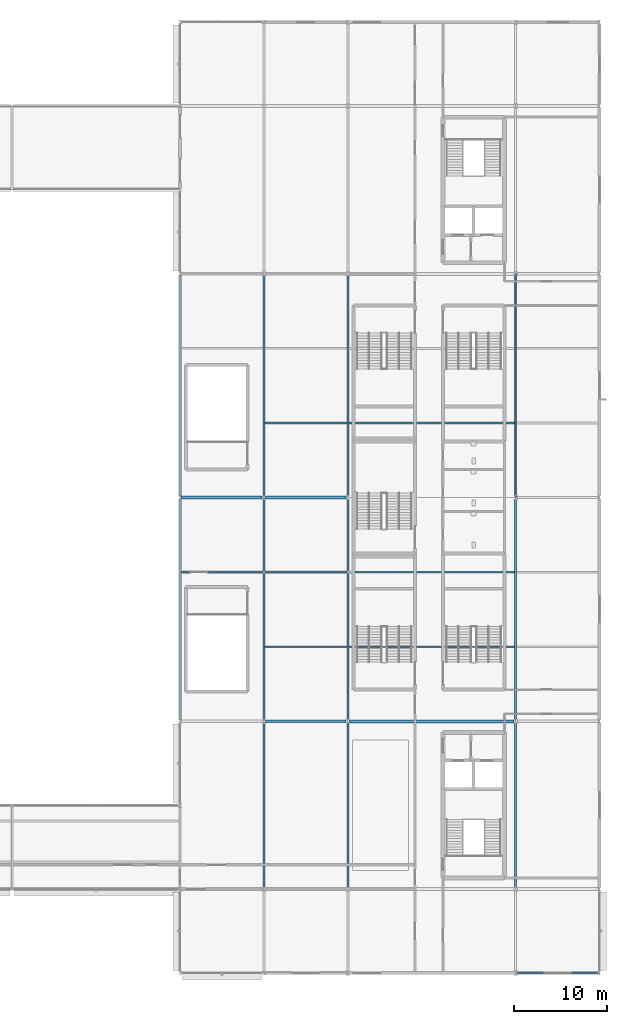
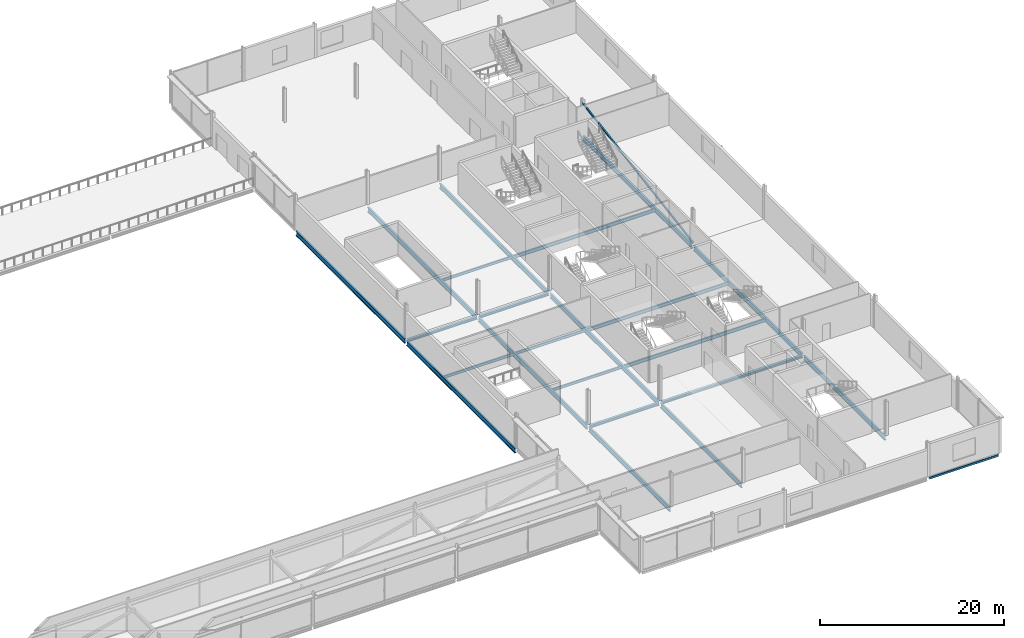
# One storey, part 28 of 73: 23 beams, 1 member.
"""IFC4 building model written with IfcOpenShell, lengths in metres."""

import ifcopenshell
import ifcopenshell.guid

model = None  # the IFC model being written
_history = None  # IfcOwnerHistory: only IFC2X3 demands one
_inside = {}  # id of a spatial element -> (the spatial element, [elements in it])
_under = {}  # id of a project, library or spatial element -> (it, [spatial elements below it])
_declared = {}  # id of a project -> (the project, [libraries it declares])
_typed = {}  # id of a type object -> (the type object, [elements of that type])
_made_of = {}  # id of a material, layer set ... -> (it, [elements and type objects made of it])


def new_model(schema):
    """Start an empty IFC model of exactly this schema.

    Asked for "IFC4X3", IfcOpenShell would pick the latest addendum, in which some entities
    have other attributes; the version numbers below select the first issue.
    IFC2X3 requires an IfcOwnerHistory on every rooted entity: one is made here for all.
    """
    global model, _history
    if schema == "IFC4X3":
        model = ifcopenshell.file(schema_version=(4, 3, 0, 0))
    else:
        model = ifcopenshell.file(schema=schema)
    _inside.clear()
    _under.clear()
    _declared.clear()
    _typed.clear()
    _made_of.clear()
    _history = None
    if model.schema == "IFC2X3":
        org = make("IfcOrganization", Name="unknown")
        user = make(
            "IfcPersonAndOrganization",
            ThePerson=make("IfcPerson", FamilyName="unknown"),
            TheOrganization=org,
        )
        app = make(
            "IfcApplication",
            ApplicationDeveloper=org,
            Version="unknown",
            ApplicationFullName="unknown",
            ApplicationIdentifier="unknown",
        )
        _history = make(
            "IfcOwnerHistory",
            OwningUser=user,
            OwningApplication=app,
            ChangeAction="ADDED",
            CreationDate=0,
        )
    return model


def make(cls, **values):
    """One entity of the class cls with the attributes given. An attribute that is None is left unset."""
    return model.create_entity(
        cls, **{name: value for name, value in values.items() if value is not None}
    )


def rooted(cls, **values):
    """An entity with a GlobalId (a new one), such as an element, a storey or a relation."""
    return make(cls, GlobalId=ifcopenshell.guid.new(), OwnerHistory=_history, **values)


def si_unit(unit_type, name, prefix=None):
    """IfcSIUnit, for example si_unit("LENGTHUNIT", "METRE", prefix="MILLI")."""
    return make("IfcSIUnit", UnitType=unit_type, Prefix=prefix, Name=name)


def assignment(units):
    """IfcUnitAssignment: the units of a project."""
    return None if units is None else make("IfcUnitAssignment", Units=units)


def point(xyz):
    """IfcCartesianPoint."""
    return None if xyz is None else make("IfcCartesianPoint", Coordinates=xyz)


def direction(xyz):
    """IfcDirection."""
    return None if xyz is None else make("IfcDirection", DirectionRatios=xyz)


def frame(location, z_axis=None, x_axis=None):
    """IfcAxis2Placement3D, a coordinate frame: its origin and axes. An axis left out is left unset."""
    return make(
        "IfcAxis2Placement3D",
        Location=point(location),
        Axis=direction(z_axis),
        RefDirection=direction(x_axis),
    )


def frame_2d(location, x_axis=None):
    """IfcAxis2Placement2D, a coordinate frame in the plane: its origin and x axis."""
    return make(
        "IfcAxis2Placement2D", Location=point(location), RefDirection=direction(x_axis)
    )


def origin():
    """The frame at (0, 0, 0) with its axes left unset."""
    return frame((0.0, 0.0, 0.0))


def origin_2d():
    """The frame at (0, 0) in the plane with its x axis left unset."""
    return frame_2d((0.0, 0.0))


def place(relative_to, where):
    """IfcLocalPlacement: puts the frame where relative to a parent placement (None: the world)."""
    return make(
        "IfcLocalPlacement", PlacementRelTo=relative_to, RelativePlacement=where
    )


def context(
    kind, dimensions, precision=None, world=None, true_north=None, identifier=None
):
    """IfcGeometricRepresentationContext, for example the 3D "Model" context."""
    return make(
        "IfcGeometricRepresentationContext",
        ContextIdentifier=identifier,
        ContextType=kind,
        CoordinateSpaceDimension=dimensions,
        Precision=precision,
        WorldCoordinateSystem=world,
        TrueNorth=true_north,
    )


def subcontext(parent, identifier, kind, view, scale=None):
    """IfcGeometricRepresentationSubContext, for example "Body" below "Model"."""
    return make(
        "IfcGeometricRepresentationSubContext",
        ContextIdentifier=identifier,
        ContextType=kind,
        ParentContext=parent,
        TargetScale=scale,
        TargetView=view,
    )


def project(units=None, contexts=None):
    """IfcProject with its units and contexts."""
    return rooted(
        "IfcProject",
        Name="project",
        RepresentationContexts=contexts,
        UnitsInContext=assignment(units),
    )


def spatial(cls, under=None, at=None, **own):
    """A site, building, storey or space (cls), placed at a placement, below another one or the project."""
    s = rooted(cls, ObjectPlacement=at, **own)
    if under is not None:
        _under.setdefault(under.id(), (under, []))[1].append(s)
    return s


def profile(cls, at=None, kind="AREA", **sizes):
    """A parametric profile (cls). Its sizes go by their IFC names, for example OverallWidth=200.0."""
    return make(cls, ProfileType=kind, Position=at, **sizes)


def hollow_rectangle(**sizes):
    """IfcRectangleHollowProfileDef."""
    return profile("IfcRectangleHollowProfileDef", **sizes)


def i_section(**sizes):
    """IfcIShapeProfileDef."""
    return profile("IfcIShapeProfileDef", **sizes)


def extrude(swept, where, along, depth):
    """IfcExtrudedAreaSolid: the profile swept, set in the frame where, extruded along a direction by depth."""
    return make(
        "IfcExtrudedAreaSolid",
        SweptArea=swept,
        Position=where,
        ExtrudedDirection=direction(along),
        Depth=depth,
    )


def shape(context_of_items, identifier, shape_type, items):
    """IfcShapeRepresentation: the items that make up one representation, for example the "Body"."""
    return make(
        "IfcShapeRepresentation",
        ContextOfItems=context_of_items,
        RepresentationIdentifier=identifier,
        RepresentationType=shape_type,
        Items=items,
    )


def material(Name=None, Category=None):
    """IfcMaterial."""
    return make("IfcMaterial", Name=Name, Category=Category)


def material_profile(
    of_material, cross_section, Name=None, Category=None, Priority=None
):
    """IfcMaterialProfile: a cross section and its material."""
    return make(
        "IfcMaterialProfile",
        Name=Name,
        Material=of_material,
        Profile=cross_section,
        Priority=Priority,
        Category=Category,
    )


def profile_set(profiles, Name=None, composite=None):
    """IfcMaterialProfileSet."""
    return make(
        "IfcMaterialProfileSet",
        Name=Name,
        MaterialProfiles=profiles,
        CompositeProfile=composite,
    )


def made_of(thing, what):
    """Note that an element or type object is made of a material, layer set ...; save() writes the relation."""
    if what is not None:
        _made_of.setdefault(what.id(), (what, []))[1].append(thing)
    return thing


def type_object(cls, material=None, **own):
    """A type object (cls), such as IfcWallType, which elements share."""
    return made_of(rooted(cls, **own), material)


def element(
    cls,
    number,
    at=None,
    inside=None,
    cuts=None,
    type_object=None,
    material=None,
    context=None,
    identifier="Body",
    shape_type=None,
    held_by="IfcProductDefinitionShape",
    body=None,
    shapes=None,
    **own,
):
    """One element of the class cls, such as IfcWall. Its Tag is "e" and its number.

    at: its placement. inside: the storey or other place that contains it. cuts: it is an
    opening in that element (IfcRelVoidsElement). A single representation is given by context,
    identifier, shape_type and body (its items); several are given by shapes. held_by: the class
    of the entity that holds the representations. save() writes the other relations.
    """
    e = rooted(cls, Tag="e%d" % number, ObjectPlacement=at, **own)
    if body is not None:
        shapes = [shape(context, identifier, shape_type, body)]
    if shapes is not None:
        e.Representation = make(held_by, Representations=shapes)
    if inside is not None:
        _inside.setdefault(inside.id(), (inside, []))[1].append(e)
    if cuts is not None:
        rooted(
            "IfcRelVoidsElement", RelatingBuildingElement=cuts, RelatedOpeningElement=e
        )
    if type_object is not None:
        _typed.setdefault(type_object.id(), (type_object, []))[1].append(e)
    return made_of(e, material)


def aggregate(whole, parts):
    """IfcRelAggregates: a whole, such as a stair, and the parts it consists of."""
    return rooted("IfcRelAggregates", RelatingObject=whole, RelatedObjects=parts)


def save(model, path):
    """Write the relations noted so far, then the file.

    IfcRelAggregates (storeys below a building ...), IfcRelContainedInSpatialStructure (elements
    in a storey), IfcRelDefinesByType, IfcRelAssociatesMaterial and IfcRelDeclares: one each for
    every whole, place, type object, material and project.
    """
    for whole, parts in _under.values():
        aggregate(whole, parts)
    for where, things in _inside.values():
        rooted(
            "IfcRelContainedInSpatialStructure",
            RelatedElements=things,
            RelatingStructure=where,
        )
    for kind, things in _typed.values():
        rooted("IfcRelDefinesByType", RelatedObjects=things, RelatingType=kind)
    for what, things in _made_of.values():
        rooted("IfcRelAssociatesMaterial", RelatedObjects=things, RelatingMaterial=what)
    for by, libraries in _declared.values():
        rooted("IfcRelDeclares", RelatingContext=by, RelatedDefinitions=libraries)
    model.write(path)


model = new_model("IFC4")

# Units and contexts
model_context = context("Model", 3, precision=1e-05, world=origin(), true_north=direction((0.0, 1.0)))
body_context = subcontext(model_context, "Body", "Model", "MODEL_VIEW")
ifc_project = project(units=[si_unit("LENGTHUNIT", "METRE"), si_unit("AREAUNIT", "SQUARE_METRE"), si_unit("VOLUMEUNIT", "CUBIC_METRE"), si_unit("PLANEANGLEUNIT", "RADIAN"), si_unit("MASSUNIT", "GRAM", prefix="KILO")], contexts=[model_context])

# Site, building, storey
site_placement = place(None, origin())
site = spatial("IfcSite", under=ifc_project, at=site_placement, CompositionType="ELEMENT")
building_placement = place(site_placement, origin())
building = spatial("IfcBuilding", under=site, at=building_placement, Name="Kisiwana Market Hall", CompositionType="ELEMENT")
storey_placement = place(building_placement, frame((0.0, 0.0, 33.300048828125)))
storey = spatial("IfcBuildingStorey", under=building, at=storey_placement, Name="L07", CompositionType="ELEMENT", Elevation=33.300048828125)

# Beams
ifc_material_1 = material(Name="Steel S355", Category="steel")
ifc_material_profile_1 = material_profile(ifc_material_1, i_section(OverallWidth=0.300048828125, OverallDepth=0.360107421875, WebThickness=0.012451171875, FlangeThickness=0.0224609375, at=origin_2d()), Name="HEB 360")
ifc_profile_set_1 = profile_set([ifc_material_profile_1], Name="Steel S355")
beam_type_1 = type_object("IfcBeamType", Name="BM-GIRD-HEB360", PredefinedType="BEAM", material=ifc_profile_set_1)
beam_1_placement = place(storey_placement, frame((162.18115234375, 36.0, -0.4599609375), z_axis=(1.0, 0.0, 0.0), x_axis=(0.0, 1.0, 0.0)))
element("IfcBeam", 1, at=beam_1_placement, inside=storey, type_object=beam_type_1, Name="Floor beam B-1988", PredefinedType="BEAM", context=body_context, shape_type="SweptSolid", body=[
    extrude(i_section(OverallWidth=0.300048828125, OverallDepth=0.360107421875, WebThickness=0.012451171875, FlangeThickness=0.0224609375, at=origin_2d()), origin(), (0.0, 0.0, 1.0), 8.635498046875),
])
ifc_material_2 = material(Name="Steel S355", Category="steel")
ifc_material_profile_2 = material_profile(ifc_material_2, i_section(OverallWidth=0.22900390625, OverallDepth=0.6123046875, WebThickness=0.011962890625, FlangeThickness=0.01953125, at=origin_2d()), Name="UB 610x229x125")
ifc_profile_set_2 = profile_set([ifc_material_profile_2], Name="Steel S355")
beam_type_2 = type_object("IfcBeamType", Name="BM-GIRD-UB610H", PredefinedType="BEAM", material=ifc_profile_set_2)
for number, where, z_axis, x_axis, name in (
    (2, (153.0, 36.177001953125, -0.586181640625), (0.0, 1.0, 0.0), (-1.0, 0.0, 0.0), "Floor beam B-2045"),
    (3, (153.0, 60.177001953125, -0.586181640625), (0.0, 1.0, 0.0), (-1.0, 0.0, 0.0), "Floor beam B-2046"),
):
    element("IfcBeam", number, at=place(storey_placement, frame(where, z_axis=z_axis, x_axis=x_axis)), inside=storey, type_object=beam_type_2, Name=name, PredefinedType="BEAM", context=body_context, shape_type="SweptSolid", body=[
        extrude(i_section(OverallWidth=0.22900390625, OverallDepth=0.6123046875, WebThickness=0.011962890625, FlangeThickness=0.01953125, at=origin_2d()), origin(), (0.0, 0.0, 1.0), 23.64599609375),
    ])
for number, where, z_axis, x_axis, name in (
    (4, (171.0, 36.183349609375, -0.586181640625), (0.0, 1.0, 0.0), (-1.0, 0.0, 0.0), "Floor beam B-2049"),
    (5, (171.0, 60.183349609375, -0.586181640625), (0.0, 1.0, 0.0), (-1.0, 0.0, 0.0), "Floor beam B-2050"),
):
    element("IfcBeam", number, at=place(storey_placement, frame(where, z_axis=z_axis, x_axis=x_axis)), inside=storey, type_object=beam_type_2, Name=name, PredefinedType="BEAM", context=body_context, shape_type="SweptSolid", body=[
        extrude(i_section(OverallWidth=0.22900390625, OverallDepth=0.6123046875, WebThickness=0.011962890625, FlangeThickness=0.01953125, at=origin_2d()), origin(), (0.0, 0.0, 1.0), 23.63330078125),
    ])
beam_2_placement = place(storey_placement, frame((162.0, 18.177001953125, -0.586181640625), z_axis=(0.0, 1.0, 0.0), x_axis=(-1.0, 0.0, 0.0)))
element("IfcBeam", 6, at=beam_2_placement, inside=storey, type_object=beam_type_2, Name="Primary girder B-1912", PredefinedType="BEAM", context=body_context, shape_type="SweptSolid", body=[
    extrude(i_section(OverallWidth=0.22900390625, OverallDepth=0.6123046875, WebThickness=0.011962890625, FlangeThickness=0.01953125, at=origin_2d()), origin(), (0.0, 0.0, 1.0), 17.64599609375),
])
for number, where, z_axis, x_axis, name in (
    (7, (162.0, 36.177001953125, -0.586181640625), (0.0, 1.0, 0.0), (-1.0, 0.0, 0.0), "Primary girder B-1913"),
    (8, (162.0, 60.177001953125, -0.586181640625), (0.0, 1.0, 0.0), (-1.0, 0.0, 0.0), "Primary girder B-1914"),
):
    element("IfcBeam", number, at=place(storey_placement, frame(where, z_axis=z_axis, x_axis=x_axis)), inside=storey, type_object=beam_type_2, Name=name, PredefinedType="BEAM", context=body_context, shape_type="SweptSolid", body=[
        extrude(i_section(OverallWidth=0.22900390625, OverallDepth=0.6123046875, WebThickness=0.011962890625, FlangeThickness=0.01953125, at=origin_2d()), origin(), (0.0, 0.0, 1.0), 23.64599609375),
    ])
for number, where, z_axis, x_axis, name in (
    (9, (171.0, 18.183349609375, -0.586181640625), (0.0, 1.0, 0.0), (-1.0, 0.0, 0.0), "Primary girder B-1918"),
    (10, (189.0, 18.183349609375, -0.586181640625), (0.0, 1.0, 0.0), (-1.0, 0.0, 0.0), "Primary girder B-1922"),
):
    element("IfcBeam", number, at=place(storey_placement, frame(where, z_axis=z_axis, x_axis=x_axis)), inside=storey, type_object=beam_type_2, Name=name, PredefinedType="BEAM", context=body_context, shape_type="SweptSolid", body=[
        extrude(i_section(OverallWidth=0.22900390625, OverallDepth=0.6123046875, WebThickness=0.011962890625, FlangeThickness=0.01953125, at=origin_2d()), origin(), (0.0, 0.0, 1.0), 17.63330078125),
    ])
for number, where, z_axis, x_axis, name in (
    (11, (189.0, 36.183349609375, -0.586181640625), (0.0, 1.0, 0.0), (-1.0, 0.0, 0.0), "Primary girder B-1923"),
    (12, (189.0, 60.183349609375, -0.586181640625), (0.0, 1.0, 0.0), (-1.0, 0.0, 0.0), "Primary girder B-1924"),
):
    element("IfcBeam", number, at=place(storey_placement, frame(where, z_axis=z_axis, x_axis=x_axis)), inside=storey, type_object=beam_type_2, Name=name, PredefinedType="BEAM", context=body_context, shape_type="SweptSolid", body=[
        extrude(i_section(OverallWidth=0.22900390625, OverallDepth=0.6123046875, WebThickness=0.011962890625, FlangeThickness=0.01953125, at=origin_2d()), origin(), (0.0, 0.0, 1.0), 23.63330078125),
    ])
ifc_material_3 = material(Name="Steel S355", Category="steel")
ifc_material_profile_3 = material_profile(ifc_material_3, i_section(OverallWidth=0.17138671875, OverallDepth=0.35498046875, WebThickness=0.00732421875, FlangeThickness=0.011474609375, at=origin_2d()), Name="UB 356x171x51")
ifc_profile_set_3 = profile_set([ifc_material_profile_3], Name="Steel S355")
beam_type_3 = type_object("IfcBeamType", Name="BM-JOIST-UB356", PredefinedType="JOIST", material=ifc_profile_set_3)
for number, where, z_axis, x_axis, name in (
    (13, (162.113525390625, 44.0, -0.45751953125), (1.0, 0.0, 0.0), (0.0, 1.0, 0.0), "Secondary floor joist B-1930"),
    (14, (153.113525390625, 52.0, -0.45751953125), (1.0, 0.0, 0.0), (0.0, 1.0, 0.0), "Secondary floor joist B-1937"),
    (15, (162.113525390625, 52.0, -0.45751953125), (1.0, 0.0, 0.0), (0.0, 1.0, 0.0), "Secondary floor joist B-1938"),
    (16, (162.113525390625, 68.0, -0.45751953125), (1.0, 0.0, 0.0), (0.0, 1.0, 0.0), "Secondary floor joist B-1944"),
):
    element("IfcBeam", number, at=place(storey_placement, frame(where, z_axis=z_axis, x_axis=x_axis)), inside=storey, type_object=beam_type_3, Name=name, PredefinedType="JOIST", context=body_context, shape_type="SweptSolid", body=[
        extrude(i_section(OverallWidth=0.17138671875, OverallDepth=0.35498046875, WebThickness=0.00732421875, FlangeThickness=0.011474609375, at=origin_2d()), origin(), (0.0, 0.0, 1.0), 8.77294921875),
    ])
ifc_material_4 = material(Name="Steel S355", Category="steel")
ifc_material_profile_4 = material_profile(ifc_material_4, i_section(OverallWidth=0.18994140625, OverallDepth=0.453369140625, WebThickness=0.008544921875, FlangeThickness=0.0126953125, at=origin_2d()), Name="UB 457x191x67")
ifc_profile_set_4 = profile_set([ifc_material_profile_4], Name="Steel S355")
beam_type_4 = type_object("IfcBeamType", Name="BM-JOIST-UB457", PredefinedType="JOIST", material=ifc_profile_set_4)
for number, where, z_axis, x_axis, name in (
    (17, (171.113525390625, 44.0, -0.5068359375), (1.0, 0.0, 0.0), (0.0, 1.0, 0.0), "Secondary floor joist B-1931"),
    (18, (171.113525390625, 52.0, -0.5068359375), (1.0, 0.0, 0.0), (0.0, 1.0, 0.0), "Secondary floor joist B-1939"),
    (19, (171.113525390625, 68.0, -0.5068359375), (1.0, 0.0, 0.0), (0.0, 1.0, 0.0), "Secondary floor joist B-1945"),
):
    element("IfcBeam", number, at=place(storey_placement, frame(where, z_axis=z_axis, x_axis=x_axis)), inside=storey, type_object=beam_type_4, Name=name, PredefinedType="JOIST", context=body_context, shape_type="SweptSolid", body=[
        extrude(i_section(OverallWidth=0.18994140625, OverallDepth=0.453369140625, WebThickness=0.008544921875, FlangeThickness=0.0126953125, at=origin_2d()), origin(), (0.0, 0.0, 1.0), 17.77294921875),
    ])
ifc_material_5 = material(Name="Steel S355", Category="steel")
ifc_material_profile_5 = material_profile(ifc_material_5, i_section(OverallWidth=0.314453125, OverallDepth=0.33984375, WebThickness=0.01904296875, FlangeThickness=0.031494140625, at=origin_2d()), Name="UC 305x305x198")
ifc_profile_set_5 = profile_set([ifc_material_profile_5], Name="Steel S355")
beam_type_5 = type_object("IfcBeamType", Name="BM-SKYBR-CHORD", PredefinedType="BEAM", material=ifc_profile_set_5)
beam_3_placement = place(storey_placement, frame((171.183349609375, 36.0, -0.449951171875), z_axis=(1.0, 0.0, 0.0), x_axis=(0.0, 1.0, 0.0)))
element("IfcBeam", 20, at=beam_3_placement, inside=storey, type_object=beam_type_5, Name="Floor beam B-1989", PredefinedType="BEAM", context=body_context, shape_type="SweptSolid", body=[
    extrude(i_section(OverallWidth=0.314453125, OverallDepth=0.33984375, WebThickness=0.01904296875, FlangeThickness=0.031494140625, at=origin_2d()), origin(), (0.0, 0.0, 1.0), 17.63330078125),
])
beam_4_placement = place(storey_placement, frame((153.18115234375, 60.0, -0.449951171875), z_axis=(1.0, 0.0, 0.0), x_axis=(0.0, 1.0, 0.0)))
element("IfcBeam", 21, at=beam_4_placement, inside=storey, type_object=beam_type_5, Name="Floor beam B-1992", PredefinedType="BEAM", context=body_context, shape_type="SweptSolid", body=[
    extrude(i_section(OverallWidth=0.314453125, OverallDepth=0.33984375, WebThickness=0.01904296875, FlangeThickness=0.031494140625, at=origin_2d()), origin(), (0.0, 0.0, 1.0), 8.6376953125),
])
beam_5_placement = place(storey_placement, frame((162.18115234375, 60.0, -0.449951171875), z_axis=(1.0, 0.0, 0.0), x_axis=(0.0, 1.0, 0.0)))
element("IfcBeam", 22, at=beam_5_placement, inside=storey, type_object=beam_type_5, Name="Floor beam B-1878", PredefinedType="BEAM", context=body_context, shape_type="SweptSolid", body=[
    extrude(i_section(OverallWidth=0.314453125, OverallDepth=0.33984375, WebThickness=0.01904296875, FlangeThickness=0.031494140625, at=origin_2d()), origin(), (0.0, 0.0, 1.0), 8.635498046875),
])
ifc_material_6 = material(Name="Steel S355", Category="steel")
ifc_material_profile_6 = material_profile(ifc_material_6, hollow_rectangle(XDim=0.14990234375, YDim=0.25, WallThickness=0.010009765625, at=origin_2d()), Name="RHS 250x150x10.0")
ifc_profile_set_6 = profile_set([ifc_material_profile_6], Name="Steel S355")
beam_type_6 = type_object("IfcBeamType", Name="BM-SPAN-RHS250", PredefinedType="SPANDREL", material=ifc_profile_set_6)
beam_6_placement = place(storey_placement, frame((189.183349609375, 9.0, -0.405029296875), z_axis=(1.0, 0.0, 0.0), x_axis=(0.0, 1.0, 0.0)))
element("IfcBeam", 23, at=beam_6_placement, inside=storey, type_object=beam_type_6, Name="Floor beam B-1962", PredefinedType="SPANDREL", context=body_context, shape_type="SweptSolid", body=[
    extrude(hollow_rectangle(XDim=0.14990234375, YDim=0.25, WallThickness=0.010009765625, at=origin_2d()), origin(), (0.0, 0.0, 1.0), 8.635498046875),
])

# Member
ifc_material_7 = material(Name="Steel S355", Category="steel")
ifc_material_profile_7 = material_profile(ifc_material_7, hollow_rectangle(XDim=0.179931640625, YDim=0.179931640625, WallThickness=0.010009765625, at=origin_2d()), Name="SHS 180x180x10")
ifc_profile_set_7 = profile_set([ifc_material_profile_7], Name="Steel S355")
member_type = type_object("IfcMemberType", Name="MB-CBF-SHS180", PredefinedType="BRACE", material=ifc_profile_set_7)
member_placement = place(storey_placement, frame((189.0, 60.0, 0.0), z_axis=(0.0, 0.986693384179, 0.162592021996), x_axis=(-1.0, 0.0, 0.0)))
element("IfcMember", 24, at=member_placement, inside=storey, type_object=member_type, Name="CBF-E-S diagonal brace (L07) M-0034", PredefinedType="BRACE", context=body_context, shape_type="SweptSolid", body=[
    extrude(hollow_rectangle(XDim=0.179931640625, YDim=0.179931640625, WallThickness=0.010009765625, at=origin_2d()), origin(), (0.0, 0.0, 1.0), 24.32373046875),
])

save(model, "model.ifc")
